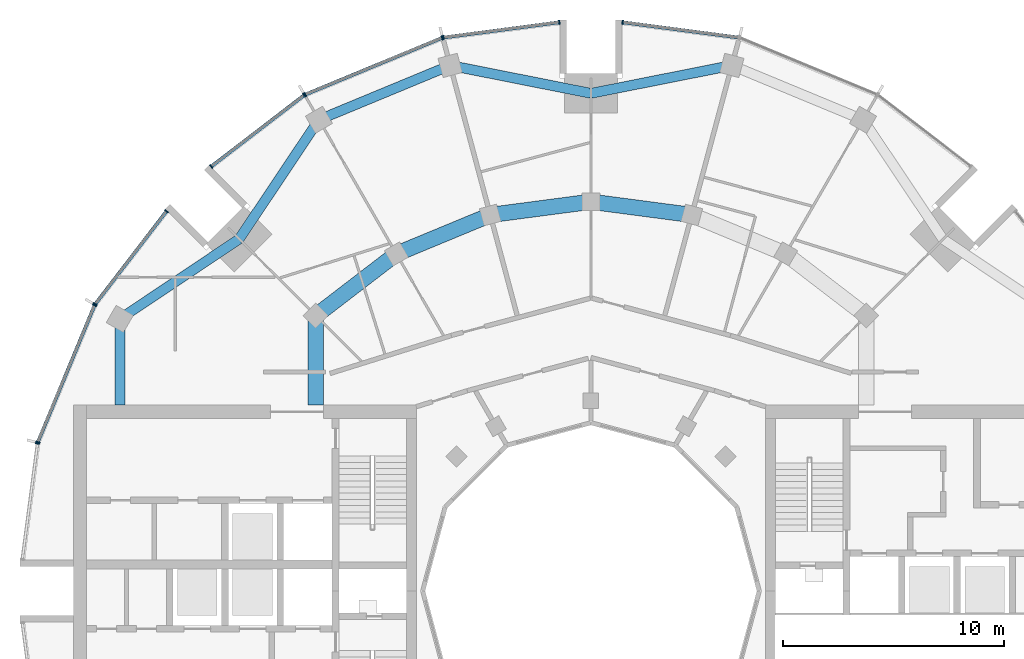
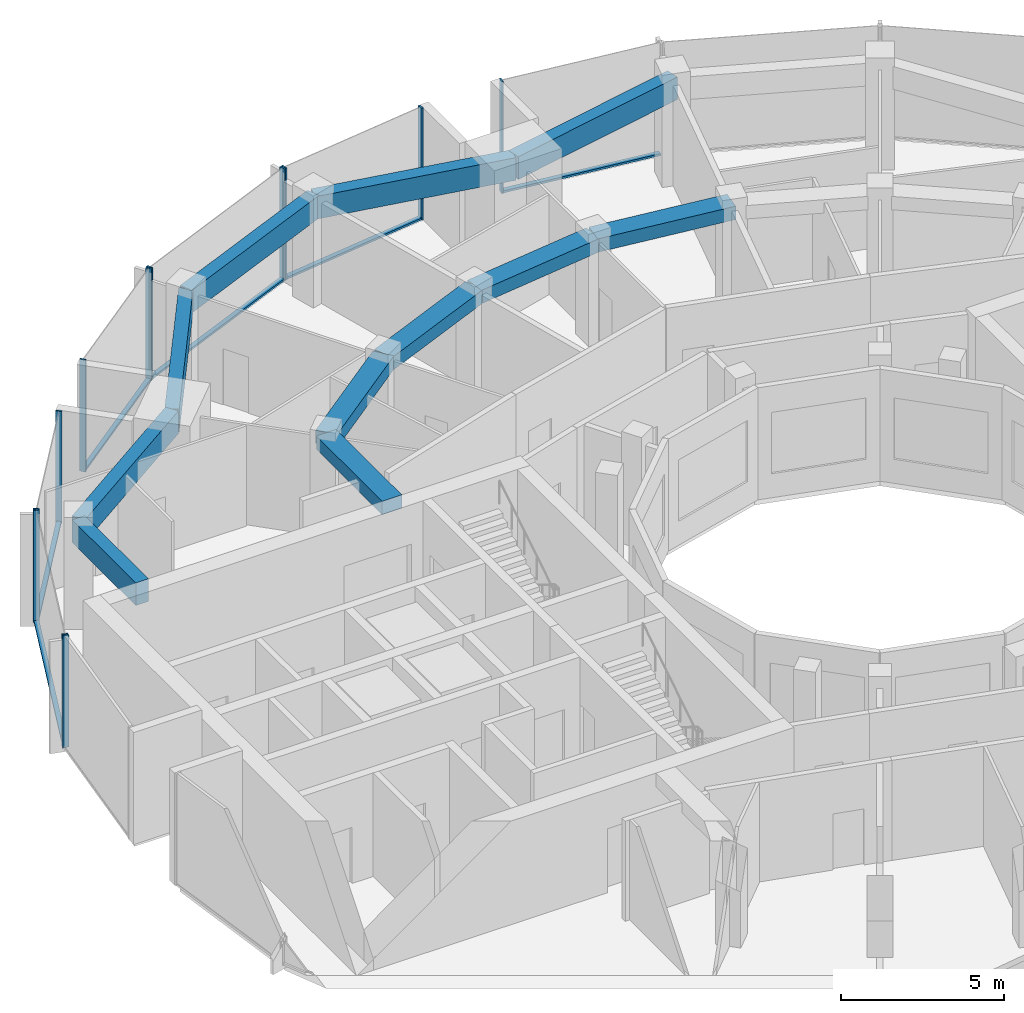
# One storey, part 5 of 15: 18 members, 11 beams, 7 elements without a shape of their own.
"""IFC4 building model written with IfcOpenShell, lengths in metres."""

from ifc_helpers import new_model, si_unit, direction, frame, origin, origin_2d, place, context, subcontext, project, spatial, rectangle, extrude, material, layer, layer_set, material_profile, profile_set, type_object, element, aggregate, save


model = new_model("IFC4")

# Units and contexts
model_context = context("Model", 3, precision=1e-05, world=origin(), true_north=direction((0.0, 1.0)))
body_context = subcontext(model_context, "Body", "Model", "MODEL_VIEW")
ifc_project = project(units=[si_unit("LENGTHUNIT", "METRE"), si_unit("AREAUNIT", "SQUARE_METRE"), si_unit("VOLUMEUNIT", "CUBIC_METRE"), si_unit("PLANEANGLEUNIT", "RADIAN"), si_unit("MASSUNIT", "GRAM", prefix="KILO")], contexts=[model_context])

# Site, building, storey
site_placement = place(None, origin())
site = spatial("IfcSite", under=ifc_project, at=site_placement, CompositionType="ELEMENT")
building_placement = place(site_placement, origin())
building = spatial("IfcBuilding", under=site, at=building_placement, Name="Torre Brocal", CompositionType="ELEMENT")
storey_placement = place(building_placement, frame((0.0, 0.0, 245.699951171875)))
storey = spatial("IfcBuildingStorey", under=building, at=storey_placement, Name="L56", CompositionType="ELEMENT", Elevation=245.699951171875)

# Curtain wall, member
ifc_material_1 = material(Name="Aluminium and glass", Category="aluminium")
ifc_layer_1 = layer(ifc_material_1, 0.199951171875)
ifc_layer_set_1 = layer_set([ifc_layer_1], Name="Aluminium and glass")
curtain_wall_type_1 = type_object("IfcCurtainWallType", Name="CW-1 CURTAIN WALL 4200 HIGH", PredefinedType="NOTDEFINED", material=ifc_layer_set_1)
curtain_wall_1_placement = place(storey_placement, origin())
curtain_wall_1 = element("IfcCurtainWall", 1, at=curtain_wall_1_placement, inside=storey, type_object=curtain_wall_type_1, Name="CW-1 RUN 6", PredefinedType="NOTDEFINED")
ifc_material_2 = material(Name="Aluminium, dark anodised", Category="aluminium")
ifc_material_profile_1 = material_profile(ifc_material_2, rectangle(XDim=0.199951171875, YDim=0.06005859375, at=origin_2d()), Name="CW-1 MULLION 60X200")
ifc_profile_set_1 = profile_set([ifc_material_profile_1], Name="Aluminium, dark anodised")
member_type_1 = type_object("IfcMemberType", Name="CW-1 MULLION 60X200", PredefinedType="MULLION", material=ifc_profile_set_1)
member_1_placement = place(storey_placement, frame((81.4296875, 100.7109375, 0.0), z_axis=(0.0, 0.0, 1.0), x_axis=(-0.13052619222, -0.991444861374, 0.0)))
member_1 = element("IfcMember", 2, at=member_1_placement, type_object=member_type_1, Name="CW1-5 mullion 2", PredefinedType="MULLION", context=body_context, shape_type="SweptSolid", body=[
    extrude(rectangle(XDim=0.199951171875, YDim=0.06005859375, at=origin_2d()), origin(), (0.0, 0.0, 1.0), 4.199951171875),
])

# Curtain wall, members
curtain_wall_2_placement = place(storey_placement, origin())
curtain_wall_2 = element("IfcCurtainWall", 3, at=curtain_wall_2_placement, inside=storey, type_object=curtain_wall_type_1, Name="CW-1 RUN 7", PredefinedType="NOTDEFINED")
member_2_placement = place(storey_placement, frame((78.5703125, 100.7109375, 0.0), z_axis=(0.0, 0.0, 1.0), x_axis=(0.13052619222, -0.991444861374, 0.0)))
member_2 = element("IfcMember", 4, at=member_2_placement, type_object=member_type_1, Name="CW1-5 mullion 1", PredefinedType="MULLION", context=body_context, shape_type="SweptSolid", body=[
    extrude(rectangle(XDim=0.199951171875, YDim=0.06005859375, at=origin_2d()), origin(), (0.0, 0.0, 1.0), 4.199951171875),
])
member_3_placement = place(storey_placement, frame((73.32666015625, 100.0205078125, 0.0), z_axis=(0.0, 0.0, 1.0), x_axis=(0.13052619222, -0.991444861374, 0.0)))
member_3 = element("IfcMember", 5, at=member_3_placement, type_object=member_type_1, Name="CW1-5 mullion 2", PredefinedType="MULLION", context=body_context, shape_type="SweptSolid", body=[
    extrude(rectangle(XDim=0.199951171875, YDim=0.06005859375, at=origin_2d()), origin(), (0.0, 0.0, 1.0), 4.199951171875),
])

curtain_wall_3_placement = place(storey_placement, origin())
curtain_wall_3 = element("IfcCurtainWall", 6, at=curtain_wall_3_placement, inside=storey, type_object=curtain_wall_type_1, Name="CW-1 RUN 8", PredefinedType="NOTDEFINED")
member_4_placement = place(storey_placement, frame((73.26904296875, 100.005126953125, 0.0), z_axis=(0.0, 0.0, 1.0), x_axis=(0.382683432333, -0.923879532525, 0.0)))
member_4 = element("IfcMember", 7, at=member_4_placement, type_object=member_type_1, Name="CW1-5 mullion 1", PredefinedType="MULLION", context=body_context, shape_type="SweptSolid", body=[
    extrude(rectangle(XDim=0.199951171875, YDim=0.06005859375, at=origin_2d()), origin(), (0.0, 0.0, 1.0), 4.199951171875),
])
member_5_placement = place(storey_placement, frame((67.078125, 97.440673828125, 0.0), z_axis=(0.0, 0.0, 1.0), x_axis=(0.382683432333, -0.923879532525, 0.0)))
member_5 = element("IfcMember", 8, at=member_5_placement, type_object=member_type_1, Name="CW1-5 mullion 2", PredefinedType="MULLION", context=body_context, shape_type="SweptSolid", body=[
    extrude(rectangle(XDim=0.199951171875, YDim=0.06005859375, at=origin_2d()), origin(), (0.0, 0.0, 1.0), 4.199951171875),
])

curtain_wall_4_placement = place(storey_placement, origin())
curtain_wall_4 = element("IfcCurtainWall", 9, at=curtain_wall_4_placement, inside=storey, type_object=curtain_wall_type_1, Name="CW-1 RUN 9", PredefinedType="NOTDEFINED")
member_6_placement = place(storey_placement, frame((67.026611328125, 97.4111328125, 0.0), z_axis=(0.0, 0.0, 1.0), x_axis=(0.60876142905, -0.793353340259, 0.0)))
member_6 = element("IfcMember", 10, at=member_6_placement, type_object=member_type_1, Name="CW1-5 mullion 1", PredefinedType="MULLION", context=body_context, shape_type="SweptSolid", body=[
    extrude(rectangle(XDim=0.199951171875, YDim=0.06005859375, at=origin_2d()), origin(), (0.0, 0.0, 1.0), 4.199951171875),
])
member_7_placement = place(storey_placement, frame((62.83056640625, 94.19140625, 0.0), z_axis=(0.0, 0.0, 1.0), x_axis=(0.60876142905, -0.793353340259, 0.0)))
member_7 = element("IfcMember", 11, at=member_7_placement, type_object=member_type_1, Name="CW1-5 mullion 2", PredefinedType="MULLION", context=body_context, shape_type="SweptSolid", body=[
    extrude(rectangle(XDim=0.199951171875, YDim=0.06005859375, at=origin_2d()), origin(), (0.0, 0.0, 1.0), 4.199951171875),
])

curtain_wall_5_placement = place(storey_placement, origin())
curtain_wall_5 = element("IfcCurtainWall", 12, at=curtain_wall_5_placement, inside=storey, type_object=curtain_wall_type_1, Name="CW-1 RUN 10", PredefinedType="NOTDEFINED")
member_8_placement = place(storey_placement, frame((60.80859375, 92.16943359375, 0.0), z_axis=(0.0, 0.0, 1.0), x_axis=(0.793353340259, -0.60876142905, 0.0)))
member_8 = element("IfcMember", 13, at=member_8_placement, type_object=member_type_1, Name="CW1-5 mullion 1", PredefinedType="MULLION", context=body_context, shape_type="SweptSolid", body=[
    extrude(rectangle(XDim=0.199951171875, YDim=0.06005859375, at=origin_2d()), origin(), (0.0, 0.0, 1.0), 4.199951171875),
])
member_9_placement = place(storey_placement, frame((57.5888671875, 87.973388671875, 0.0), z_axis=(0.0, 0.0, 1.0), x_axis=(0.793353340259, -0.60876142905, 0.0)))
member_9 = element("IfcMember", 14, at=member_9_placement, type_object=member_type_1, Name="CW1-5 mullion 2", PredefinedType="MULLION", context=body_context, shape_type="SweptSolid", body=[
    extrude(rectangle(XDim=0.199951171875, YDim=0.06005859375, at=origin_2d()), origin(), (0.0, 0.0, 1.0), 4.199951171875),
])

curtain_wall_6_placement = place(storey_placement, origin())
curtain_wall_6 = element("IfcCurtainWall", 15, at=curtain_wall_6_placement, inside=storey, type_object=curtain_wall_type_1, Name="CW-1 RUN 11", PredefinedType="NOTDEFINED")
member_10_placement = place(storey_placement, frame((57.559326171875, 87.921875, 0.0), z_axis=(0.0, 0.0, 1.0), x_axis=(0.923879532525, -0.382683432333, 0.0)))
member_10 = element("IfcMember", 16, at=member_10_placement, type_object=member_type_1, Name="CW1-5 mullion 1", PredefinedType="MULLION", context=body_context, shape_type="SweptSolid", body=[
    extrude(rectangle(XDim=0.199951171875, YDim=0.06005859375, at=origin_2d()), origin(), (0.0, 0.0, 1.0), 4.199951171875),
])
member_11_placement = place(storey_placement, frame((54.994873046875, 81.73095703125, 0.0), z_axis=(0.0, 0.0, 1.0), x_axis=(0.923879532525, -0.382683432333, 0.0)))
member_11 = element("IfcMember", 17, at=member_11_placement, type_object=member_type_1, Name="CW1-5 mullion 2", PredefinedType="MULLION", context=body_context, shape_type="SweptSolid", body=[
    extrude(rectangle(XDim=0.199951171875, YDim=0.06005859375, at=origin_2d()), origin(), (0.0, 0.0, 1.0), 4.199951171875),
])

# Member
ifc_material_3 = material(Name="Aluminium, dark anodised", Category="aluminium")
ifc_material_profile_2 = material_profile(ifc_material_3, rectangle(XDim=0.159912109375, YDim=0.080078125, at=origin_2d()), Name="CW-1 TRANSOM 160X80")
ifc_profile_set_2 = profile_set([ifc_material_profile_2], Name="Aluminium, dark anodised")
member_type_2 = type_object("IfcMemberType", Name="CW-1 TRANSOM 160X80", PredefinedType="USERDEFINED", material=ifc_profile_set_2)
member_12_placement = place(storey_placement, frame((86.643798828125, 100.0244140625, 0.0400390625), z_axis=(-0.991442690863, 0.130542677827, 0.0), x_axis=(-0.130542677827, -0.991442690863, 0.0)))
member_12 = element("IfcMember", 18, at=member_12_placement, type_object=member_type_2, Name="CW1-5 transom 1.1", ObjectType="TRANSOM", PredefinedType="USERDEFINED", context=body_context, shape_type="SweptSolid", body=[
    extrude(rectangle(XDim=0.159912109375, YDim=0.080078125, at=origin_2d()), origin(), (0.0, 0.0, 1.0), 5.22900390625),
])

aggregate(curtain_wall_1, [member_1, member_12])

member_13_placement = place(storey_placement, frame((78.54052734375, 100.70703125, 0.0400390625), z_axis=(-0.991442690863, -0.130542677827, 0.0), x_axis=(0.130542677827, -0.991442690863, 0.0)))
member_13 = element("IfcMember", 19, at=member_13_placement, type_object=member_type_2, Name="CW1-5 transom 1.1", ObjectType="TRANSOM", PredefinedType="USERDEFINED", context=body_context, shape_type="SweptSolid", body=[
    extrude(rectangle(XDim=0.159912109375, YDim=0.080078125, at=origin_2d()), origin(), (0.0, 0.0, 1.0), 5.22900390625),
])

aggregate(curtain_wall_2, [member_2, member_3, member_13])

member_14_placement = place(storey_placement, frame((73.241455078125, 99.99365234375, 0.0400390625), z_axis=(-0.923887344364, -0.38266457234, 0.0), x_axis=(0.38266457234, -0.923887344364, 0.0)))
member_14 = element("IfcMember", 20, at=member_14_placement, type_object=member_type_2, Name="CW1-5 transom 1.1", ObjectType="TRANSOM", PredefinedType="USERDEFINED", context=body_context, shape_type="SweptSolid", body=[
    extrude(rectangle(XDim=0.159912109375, YDim=0.080078125, at=origin_2d()), origin(), (0.0, 0.0, 1.0), 6.640869140625),
])

aggregate(curtain_wall_3, [member_4, member_5, member_14])

member_15_placement = place(storey_placement, frame((67.0029296875, 97.392822265625, 0.0400390625), z_axis=(-0.79336281513, -0.60874908096, 0.0), x_axis=(0.60874908096, -0.79336281513, 0.0)))
member_15 = element("IfcMember", 21, at=member_15_placement, type_object=member_type_2, Name="CW1-5 transom 1.1", ObjectType="TRANSOM", PredefinedType="USERDEFINED", context=body_context, shape_type="SweptSolid", body=[
    extrude(rectangle(XDim=0.159912109375, YDim=0.080078125, at=origin_2d()), origin(), (0.0, 0.0, 1.0), 5.22900390625),
])

aggregate(curtain_wall_4, [member_6, member_7, member_15])

member_16_placement = place(storey_placement, frame((60.790283203125, 92.1455078125, 0.0400390625), z_axis=(-0.60874908096, -0.79336281513, 0.0), x_axis=(0.79336281513, -0.60874908096, 0.0)))
member_16 = element("IfcMember", 22, at=member_16_placement, type_object=member_type_2, Name="CW1-5 transom 1.1", ObjectType="TRANSOM", PredefinedType="USERDEFINED", context=body_context, shape_type="SweptSolid", body=[
    extrude(rectangle(XDim=0.159912109375, YDim=0.080078125, at=origin_2d()), origin(), (0.0, 0.0, 1.0), 5.22900390625),
])

aggregate(curtain_wall_5, [member_8, member_9, member_16])

member_17_placement = place(storey_placement, frame((57.547607421875, 87.89404296875, 0.0400390625), z_axis=(-0.38266457234, -0.923887344364, 0.0), x_axis=(0.923887344364, -0.38266457234, 0.0)))
member_17 = element("IfcMember", 23, at=member_17_placement, type_object=member_type_2, Name="CW1-5 transom 1.1", ObjectType="TRANSOM", PredefinedType="USERDEFINED", context=body_context, shape_type="SweptSolid", body=[
    extrude(rectangle(XDim=0.159912109375, YDim=0.080078125, at=origin_2d()), origin(), (0.0, 0.0, 1.0), 6.640869140625),
])

aggregate(curtain_wall_6, [member_10, member_11, member_17])

# Curtain wall, member
ifc_material_4 = material(Name="Aluminium and glass", Category="aluminium")
ifc_layer_2 = layer(ifc_material_4, 0.199951171875)
ifc_layer_set_2 = layer_set([ifc_layer_2], Name="Aluminium and glass")
curtain_wall_type_2 = type_object("IfcCurtainWallType", Name="CW-1B CURTAIN WALL 4200 HIGH", PredefinedType="NOTDEFINED", material=ifc_layer_set_2)
curtain_wall_7_placement = place(storey_placement, origin())
curtain_wall_7 = element("IfcCurtainWall", 24, at=curtain_wall_7_placement, inside=storey, type_object=curtain_wall_type_2, Name="CW-1B RUN 12", PredefinedType="NOTDEFINED")
ifc_material_5 = material(Name="Aluminium, dark anodised", Category="aluminium")
ifc_material_profile_3 = material_profile(ifc_material_5, rectangle(XDim=0.199951171875, YDim=0.06005859375, at=origin_2d()), Name="CW-1B MULLION 60X200")
ifc_profile_set_3 = profile_set([ifc_material_profile_3], Name="Aluminium, dark anodised")
member_type_3 = type_object("IfcMemberType", Name="CW-1B MULLION 60X200", PredefinedType="MULLION", material=ifc_profile_set_3)
member_18_placement = place(storey_placement, frame((54.9794921875, 81.67333984375, 0.0), z_axis=(0.0, 0.0, 1.0), x_axis=(0.991444861374, -0.13052619222, 0.0)))
member_18 = element("IfcMember", 25, at=member_18_placement, type_object=member_type_3, Name="CW1B-5 mullion 1", PredefinedType="MULLION", context=body_context, shape_type="SweptSolid", body=[
    extrude(rectangle(XDim=0.199951171875, YDim=0.06005859375, at=origin_2d()), origin(), (0.0, 0.0, 1.0), 4.199951171875),
])
aggregate(curtain_wall_7, [member_18])

# Beams
ifc_material_6 = material(Name="Concrete C50", Category="concrete")
ifc_material_profile_4 = material_profile(ifc_material_6, rectangle(XDim=0.699951171875, YDim=0.5, at=origin_2d()), Name="RC 700X500")
ifc_profile_set_4 = profile_set([ifc_material_profile_4], Name="Concrete C50")
beam_type_1 = type_object("IfcBeamType", Name="RC BEAM 700X500 C50 TOP 3880", PredefinedType="BEAM", material=ifc_profile_set_4)
for number, where, z_axis, x_axis, name in (
    (26, (84.55517578125, 92.000244140625, 3.630126953125), (-0.991440544449, 0.130558978332, 0.0), (-0.130558978332, -0.991440544449, 0.0), "Beam BT-37"),
    (27, (80.0, 92.60009765625, 3.630126953125), (-0.991440544449, -0.130558978332, 0.0), (0.130558978332, -0.991440544449, 0.0), "Beam BT-37"),
):
    element("IfcBeam", number, at=place(storey_placement, frame(where, z_axis=z_axis, x_axis=x_axis)), inside=storey, type_object=beam_type_1, Name=name, PredefinedType="BEAM", context=body_context, shape_type="SweptSolid", body=[
        extrude(rectangle(XDim=0.699951171875, YDim=0.5, at=origin_2d()), origin(), (0.0, 0.0, 1.0), 4.594482421875),
    ])
beam_1_placement = place(storey_placement, frame((75.44482421875, 92.000244140625, 3.630126953125), z_axis=(-0.923878240166, -0.382686552348, 0.0), x_axis=(0.382686552348, -0.923878240166, 0.0)))
element("IfcBeam", 28, at=beam_1_placement, inside=storey, type_object=beam_type_1, Name="Beam BT-37", PredefinedType="BEAM", context=body_context, shape_type="SweptSolid", body=[
    extrude(rectangle(XDim=0.699951171875, YDim=0.5, at=origin_2d()), origin(), (0.0, 0.0, 1.0), 4.5947265625),
])
beam_2_placement = place(storey_placement, frame((71.199951171875, 90.241943359375, 3.630126953125), z_axis=(-0.793358265959, -0.6087550097, 0.0), x_axis=(0.6087550097, -0.793358265959, 0.0)))
element("IfcBeam", 29, at=beam_2_placement, inside=storey, type_object=beam_type_1, Name="Beam BT-37", PredefinedType="BEAM", context=body_context, shape_type="SweptSolid", body=[
    extrude(rectangle(XDim=0.699951171875, YDim=0.5, at=origin_2d()), origin(), (0.0, 0.0, 1.0), 4.594482421875),
])
beam_3_placement = place(storey_placement, frame((67.554931640625, 87.445068359375, 3.630126953125), z_axis=(0.0, -1.0, 0.0), x_axis=(1.0, 0.0, 0.0)))
element("IfcBeam", 30, at=beam_3_placement, inside=storey, type_object=beam_type_1, Name="Beam BT-37", PredefinedType="BEAM", context=body_context, shape_type="SweptSolid", body=[
    extrude(rectangle(XDim=0.699951171875, YDim=0.5, at=origin_2d()), origin(), (0.0, 0.0, 1.0), 4.045166015625),
])
ifc_material_7 = material(Name="Concrete C50", Category="concrete")
ifc_material_profile_5 = material_profile(ifc_material_7, rectangle(XDim=0.449951171875, YDim=0.85009765625, at=origin_2d()), Name="RC 450X850")
ifc_profile_set_5 = profile_set([ifc_material_profile_5], Name="Concrete C50")
beam_type_2 = type_object("IfcBeamType", Name="RC SPANDREL BEAM 450X850 C50 TOP 3880", PredefinedType="SPANDREL", material=ifc_profile_set_5)
for number, where, z_axis, x_axis, name in (
    (31, (86.366943359375, 98.76171875, 3.455078125), (-0.980924907484, -0.194387051723, 0.0), (0.194387051723, -0.980924907484, 0.0), "Beam BT-38"),
    (32, (80.0, 97.5, 3.455078125), (-0.980924907484, 0.194387051723, 0.0), (-0.194387051723, -0.980924907484, 0.0), "Beam BT-38"),
):
    element("IfcBeam", number, at=place(storey_placement, frame(where, z_axis=z_axis, x_axis=x_axis)), inside=storey, type_object=beam_type_2, Name=name, PredefinedType="SPANDREL", context=body_context, shape_type="SweptSolid", body=[
        extrude(rectangle(XDim=0.449951171875, YDim=0.85009765625, at=origin_2d()), origin(), (0.0, 0.0, 1.0), 6.49072265625),
    ])
beam_4_placement = place(storey_placement, frame((73.633056640625, 98.76171875, 3.455078125), z_axis=(-0.923882462513, -0.382676358639, 0.0), x_axis=(0.382676358639, -0.923882462513, 0.0)))
element("IfcBeam", 33, at=beam_4_placement, inside=storey, type_object=beam_type_2, Name="Beam BT-38", PredefinedType="SPANDREL", context=body_context, shape_type="SweptSolid", body=[
    extrude(rectangle(XDim=0.449951171875, YDim=0.85009765625, at=origin_2d()), origin(), (0.0, 0.0, 1.0), 6.421875),
])
for number, where, z_axis, x_axis, name in (
    (34, (67.699951171875, 96.30419921875, 3.455078125), (-0.556157602282, -0.831076844476, 0.0), (0.831076844476, -0.556157602282, 0.0), "Beam BT-38"),
    (35, (64.090087890625, 90.909912109375, 3.455078125), (-0.831076844476, -0.556157602282, 0.0), (0.556157602282, -0.831076844476, 0.0), "Beam BT-38"),
):
    element("IfcBeam", number, at=place(storey_placement, frame(where, z_axis=z_axis, x_axis=x_axis)), inside=storey, type_object=beam_type_2, Name=name, PredefinedType="SPANDREL", context=body_context, shape_type="SweptSolid", body=[
        extrude(rectangle(XDim=0.449951171875, YDim=0.85009765625, at=origin_2d()), origin(), (0.0, 0.0, 1.0), 6.49072265625),
    ])
beam_5_placement = place(storey_placement, frame((58.69580078125, 87.300048828125, 3.455078125), z_axis=(0.0, -1.0, 0.0), x_axis=(1.0, 0.0, 0.0)))
element("IfcBeam", 36, at=beam_5_placement, inside=storey, type_object=beam_type_2, Name="Beam BT-38", PredefinedType="SPANDREL", context=body_context, shape_type="SweptSolid", body=[
    extrude(rectangle(XDim=0.449951171875, YDim=0.85009765625, at=origin_2d()), origin(), (0.0, 0.0, 1.0), 3.900146484375),
])

save(model, "model.ifc")
